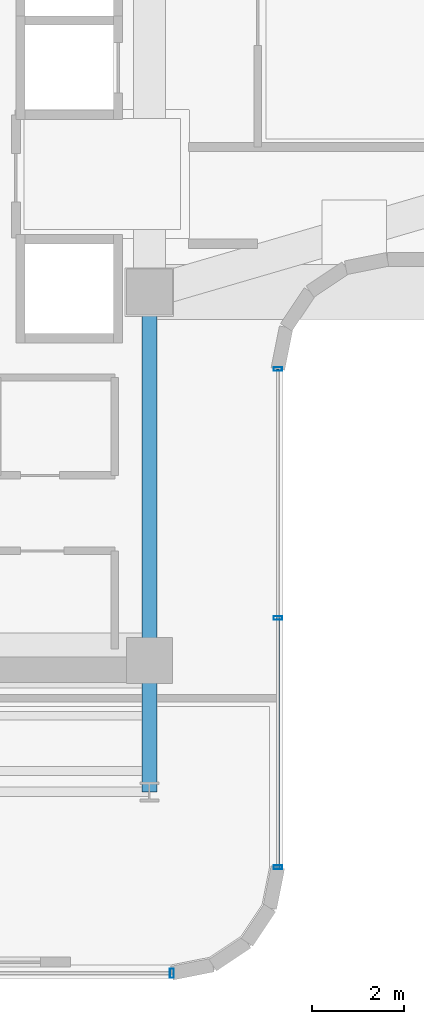
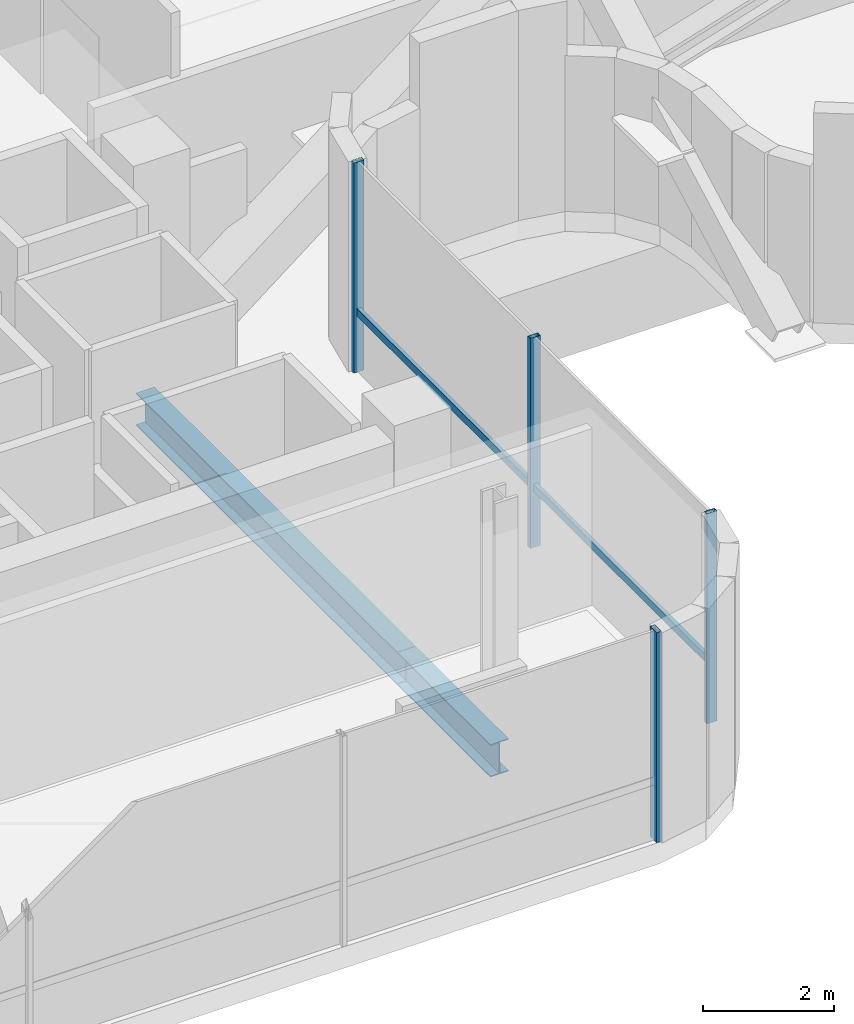
# One storey, part 5 of 37: 5 members, 2 beams, 2 elements without a shape of their own.
"""IFC4 building model written with IfcOpenShell, lengths in metres."""

from ifc_helpers import new_model, si_unit, direction, frame, origin, origin_2d, place, context, subcontext, project, spatial, hollow_rectangle, i_section, extrude, source, transform, mapped, material, material_profile, profile_set, type_object, element, aggregate, save


model = new_model("IFC4")

# Units and contexts
model_context = context("Model", 3, precision=1e-05, world=origin(), true_north=direction((0.0, 1.0)))
body_context = subcontext(model_context, "Body", "Model", "MODEL_VIEW")
ifc_project = project(units=[si_unit("LENGTHUNIT", "METRE"), si_unit("AREAUNIT", "SQUARE_METRE"), si_unit("VOLUMEUNIT", "CUBIC_METRE"), si_unit("PLANEANGLEUNIT", "RADIAN"), si_unit("MASSUNIT", "GRAM", prefix="KILO")], contexts=[model_context])

# Site, building, storey
site_placement = place(None, origin())
site = spatial("IfcSite", under=ifc_project, at=site_placement, CompositionType="ELEMENT")
building_placement = place(site_placement, origin())
building = spatial("IfcBuilding", under=site, at=building_placement, Name="Valdorenza Pilgrim Sanctuary Tower", CompositionType="ELEMENT")
storey_placement = place(building_placement, frame((0.0, 0.0, 172.300048828125)))
storey = spatial("IfcBuildingStorey", under=building, at=storey_placement, Name="L44", CompositionType="ELEMENT", Elevation=172.300048828125)

# Beams
ifc_material_1 = material(Name="Steel ASTM A992 Grade 50", Category="steel")
ifc_material_profile_1 = material_profile(ifc_material_1, i_section(OverallWidth=0.323974609375, OverallDepth=0.611083984375, WebThickness=0.0126953125, FlangeThickness=0.01904296875, at=origin_2d()), Name="W24X104")
ifc_profile_set_1 = profile_set([ifc_material_profile_1], Name="Steel ASTM A992 Grade 50")
beam_type = type_object("IfcBeamType", Name="STR-BM-GRD-W24B", PredefinedType="BEAM", material=ifc_profile_set_1)
shared_shape_1 = source(origin(), body_context, "Body", "SweptSolid", [
    extrude(i_section(OverallWidth=0.323974609375, OverallDepth=0.611083984375, WebThickness=0.0126953125, FlangeThickness=0.01904296875, at=origin_2d()), origin(), (0.0, 0.0, 1.0), 8.0),
])
beam_1_placement = place(storey_placement, frame((-12.39990234375, -10.60009765625, -0.70556640625), z_axis=(0.0, 1.0, 0.0), x_axis=(-1.0, 0.0, 0.0)))
element("IfcBeam", 1, at=beam_1_placement, inside=storey, type_object=beam_type, Name="L44 Core Tie Girder CA-E-S1M0", PredefinedType="BEAM", context=body_context, shape_type="MappedRepresentation", body=[
    mapped(shared_shape_1, transform((0.0, 0.0, 0.0), x_axis=(1.0, 0.0, 0.0), y_axis=(0.0, 1.0, 0.0), z_axis=(0.0, 0.0, 1.0), scale=1.0)),
])
shared_shape_2 = source(origin(), body_context, "Body", "SweptSolid", [
    extrude(i_section(OverallWidth=0.323974609375, OverallDepth=0.611083984375, WebThickness=0.0126953125, FlangeThickness=0.01904296875, at=origin_2d()), origin(), (0.0, 0.0, 1.0), 2.849853515625),
])
beam_2_placement = place(storey_placement, frame((-12.39990234375, -13.449951171875, -0.70556640625), z_axis=(0.0, 1.0, 0.0), x_axis=(-1.0, 0.0, 0.0)))
element("IfcBeam", 2, at=beam_2_placement, inside=storey, type_object=beam_type, Name="L44 Floor Girder WA-S-LE", PredefinedType="BEAM", context=body_context, shape_type="MappedRepresentation", body=[
    mapped(shared_shape_2, transform((0.0, 0.0, 0.0), x_axis=(1.0, 0.0, 0.0), y_axis=(0.0, 1.0, 0.0), z_axis=(0.0, 0.0, 1.0), scale=1.0)),
])

# Curtain wall, member
ifc_material_2 = material(Name="Curtain-wall IGU glazing", Category="glass")
curtain_wall_type_1 = type_object("IfcCurtainWallType", Name="CW-SYS-02", PredefinedType="NOTDEFINED", material=ifc_material_2)
curtain_wall_1_placement = place(storey_placement, origin())
curtain_wall_1 = element("IfcCurtainWall", 3, at=curtain_wall_1_placement, inside=storey, type_object=curtain_wall_type_1, Name="L44 Curtain Wall CW-L44-1-82", PredefinedType="NOTDEFINED")
ifc_material_3 = material(Name="Anodised aluminium AW-6060", Category="aluminium")
ifc_material_profile_2 = material_profile(ifc_material_3, hollow_rectangle(XDim=0.0849609375, YDim=0.199951171875, WallThickness=0.0048828125, at=origin_2d()), Name="ALU-M 200x85x5")
ifc_profile_set_2 = profile_set([ifc_material_profile_2], Name="Anodised aluminium AW-6060")
member_type_1 = type_object("IfcMemberType", Name="CW-MUL-02", PredefinedType="MULLION", material=ifc_profile_set_2)
shared_shape_3 = source(origin(), body_context, "Body", "SweptSolid", [
    extrude(hollow_rectangle(XDim=0.0849609375, YDim=0.199951171875, WallThickness=0.0048828125, at=origin_2d()), origin(), (0.0, 0.0, 1.0), 3.929931640625),
])
member_1_placement = place(storey_placement, frame((-11.910888671875, -17.389892578125, 0.0), z_axis=(0.0, 0.0, 1.0), x_axis=(-1.0, 0.0, 0.0)))
member_1 = element("IfcMember", 4, at=member_1_placement, type_object=member_type_1, Name="CW-L44-1-82 Mullion 1", PredefinedType="MULLION", context=body_context, shape_type="MappedRepresentation", body=[
    mapped(shared_shape_3, transform((0.0, 0.0, 0.0), x_axis=(1.0, 0.0, 0.0), y_axis=(0.0, 1.0, 0.0), z_axis=(0.0, 0.0, 1.0), scale=1.0)),
])
aggregate(curtain_wall_1, [member_1])

# Curtain wall, members
curtain_wall_type_2 = type_object("IfcCurtainWallType", Name="CW-SYS-05", PredefinedType="NOTDEFINED", material=ifc_material_2)
curtain_wall_2_placement = place(storey_placement, origin())
curtain_wall_2 = element("IfcCurtainWall", 5, at=curtain_wall_2_placement, inside=storey, type_object=curtain_wall_type_2, Name="L44 Curtain Wall CW-L44-1-77", PredefinedType="NOTDEFINED")
ifc_material_profile_3 = material_profile(ifc_material_3, hollow_rectangle(XDim=0.080078125, YDim=0.179931640625, WallThickness=0.00439453125, at=origin_2d()), Name="ALU-M 180x80x4.5")
ifc_profile_set_3 = profile_set([ifc_material_profile_3], Name="Anodised aluminium AW-6060")
member_type_2 = type_object("IfcMemberType", Name="CW-MUL-05", PredefinedType="MULLION", material=ifc_profile_set_3)
shared_shape_4 = source(origin(), body_context, "Body", "SweptSolid", [
    extrude(hollow_rectangle(XDim=0.080078125, YDim=0.179931640625, WallThickness=0.00439453125, at=origin_2d()), origin(), (0.0, 0.0, 1.0), 3.929931640625),
])
member_2_placement = place(storey_placement, frame((-9.610107421875, -4.269287109375, 0.0), z_axis=(0.0, 0.0, 1.0), x_axis=(0.0, -1.0, 0.0)))
member_2 = element("IfcMember", 6, at=member_2_placement, type_object=member_type_2, Name="CW-L44-1-77 Mullion 1", PredefinedType="MULLION", context=body_context, shape_type="MappedRepresentation", body=[
    mapped(shared_shape_4, transform((0.0, 0.0, 0.0), x_axis=(1.0, 0.0, 0.0), y_axis=(0.0, 1.0, 0.0), z_axis=(0.0, 0.0, 1.0), scale=1.0)),
])
member_3_placement = place(storey_placement, frame((-9.610107421875, -9.67919921875, 0.0), z_axis=(0.0, 0.0, 1.0), x_axis=(0.0, -1.0, 0.0)))
member_3 = element("IfcMember", 7, at=member_3_placement, type_object=member_type_2, Name="CW-L44-1-77 Mullion 2", PredefinedType="MULLION", context=body_context, shape_type="MappedRepresentation", body=[
    mapped(shared_shape_4, transform((0.0, 0.0, 0.0), x_axis=(1.0, 0.0, 0.0), y_axis=(0.0, 1.0, 0.0), z_axis=(0.0, 0.0, 1.0), scale=1.0)),
])
member_4_placement = place(storey_placement, frame((-9.610107421875, -15.089111328125, 0.0), z_axis=(0.0, 0.0, 1.0), x_axis=(0.0, -1.0, 0.0)))
member_4 = element("IfcMember", 8, at=member_4_placement, type_object=member_type_2, Name="CW-L44-1-77 Mullion 3", PredefinedType="MULLION", context=body_context, shape_type="MappedRepresentation", body=[
    mapped(shared_shape_4, transform((0.0, 0.0, 0.0), x_axis=(1.0, 0.0, 0.0), y_axis=(0.0, 1.0, 0.0), z_axis=(0.0, 0.0, 1.0), scale=1.0)),
])
ifc_material_profile_4 = material_profile(ifc_material_3, hollow_rectangle(XDim=0.070068359375, YDim=0.139892578125, WallThickness=0.00341796875, at=origin_2d()), Name="ALU-T 140x70x3.5")
ifc_profile_set_4 = profile_set([ifc_material_profile_4], Name="Anodised aluminium AW-6060")
member_type_3 = type_object("IfcMemberType", Name="CW-TRN-05", PredefinedType="USERDEFINED", material=ifc_profile_set_4)
shared_shape_5 = source(origin(), body_context, "Body", "SweptSolid", [
    extrude(hollow_rectangle(XDim=0.070068359375, YDim=0.139892578125, WallThickness=0.00341796875, at=origin_2d()), origin(), (0.0, 0.0, 1.0), 10.81982421875),
])
member_5_placement = place(storey_placement, frame((-9.610107421875, -4.269287109375, 1.119873046875), z_axis=(0.0, -1.0, 0.0), x_axis=(1.0, 0.0, 0.0)))
member_5 = element("IfcMember", 9, at=member_5_placement, type_object=member_type_3, Name="CW-L44-1-77 Transom 1", ObjectType="TRANSOM", PredefinedType="USERDEFINED", context=body_context, shape_type="MappedRepresentation", body=[
    mapped(shared_shape_5, transform((0.0, 0.0, 0.0), x_axis=(1.0, 0.0, 0.0), y_axis=(0.0, 1.0, 0.0), z_axis=(0.0, 0.0, 1.0), scale=1.0)),
])
aggregate(curtain_wall_2, [member_2, member_3, member_4, member_5])

save(model, "model.ifc")
